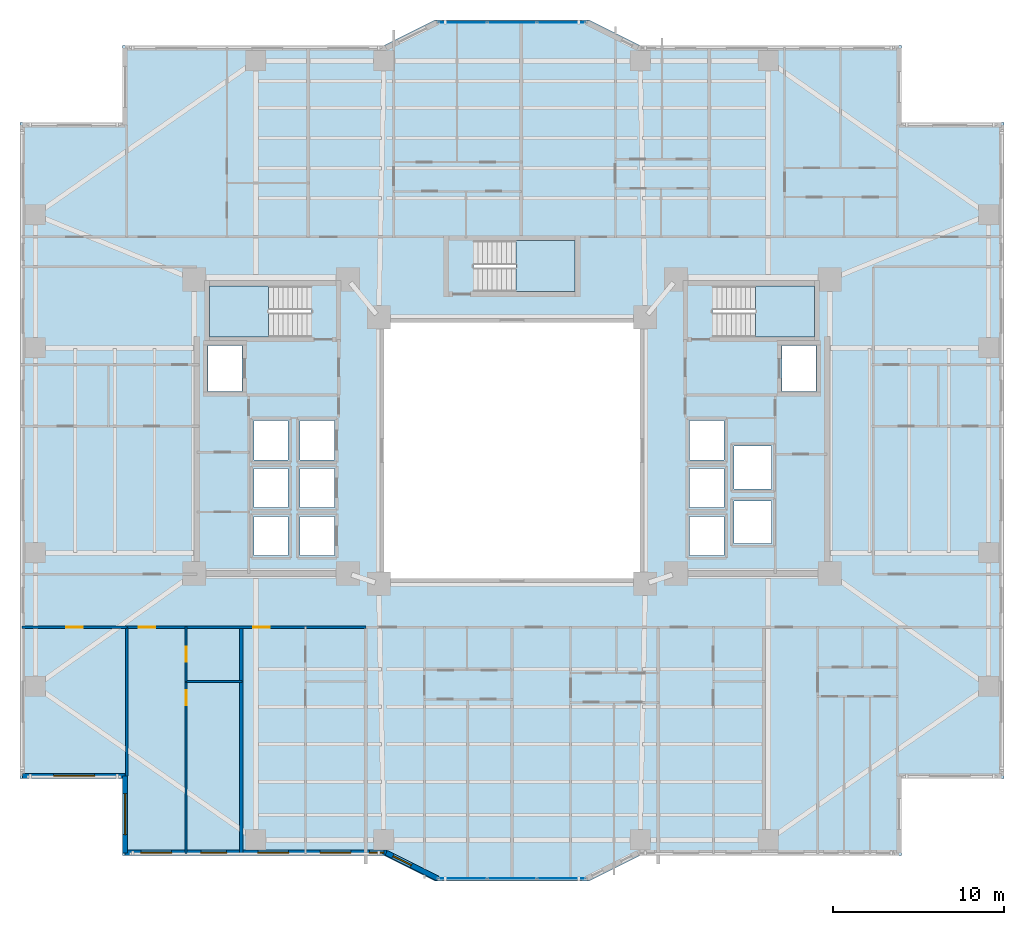
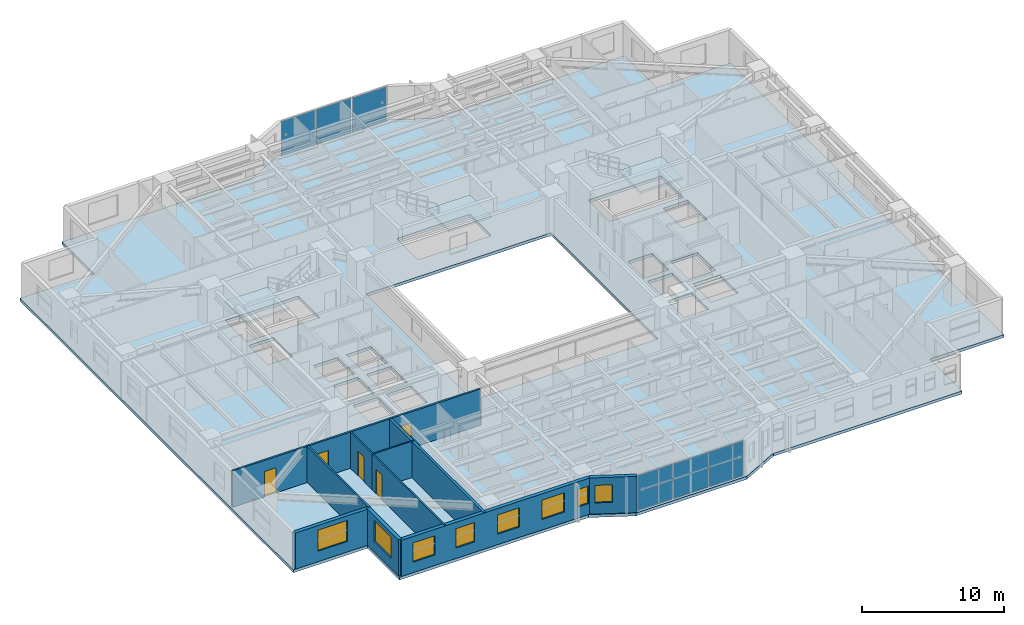
# One storey, part 9 of 22: 11 walls, 8 windows, 6 plates, 5 doors, 4 slabs, 13 openings, 5 elements without a shape of their own.
"""IFC4 building model written with IfcOpenShell, lengths in metres."""

from ifc_helpers import new_model, si_unit, direction, frame, frame_2d, origin, origin_2d, place, context, subcontext, project, spatial, polyline, rectangle, outline, extrude, material, layer, layer_set, type_object, element, fill, aggregate, save


model = new_model("IFC4")

# Units and contexts
model_context = context("Model", 3, precision=1e-05, world=origin(), true_north=direction((0.0, 1.0)))
body_context = subcontext(model_context, "Body", "Model", "MODEL_VIEW")
ifc_project = project(units=[si_unit("LENGTHUNIT", "METRE"), si_unit("AREAUNIT", "SQUARE_METRE"), si_unit("VOLUMEUNIT", "CUBIC_METRE"), si_unit("PLANEANGLEUNIT", "RADIAN"), si_unit("MASSUNIT", "GRAM", prefix="KILO")], contexts=[model_context])

# Site, building, storey
site_placement = place(None, origin())
site = spatial("IfcSite", under=ifc_project, at=site_placement, CompositionType="ELEMENT")
building_placement = place(site_placement, origin())
building = spatial("IfcBuilding", under=site, at=building_placement, Name="Tarnavaz Court Tower", CompositionType="ELEMENT")
storey_placement = place(building_placement, frame((0.0, 0.0, 27.35009765625)))
storey = spatial("IfcBuildingStorey", under=building, at=storey_placement, Name="L06", CompositionType="ELEMENT", Elevation=27.35009765625)

# Curtain wall, plates
ifc_material_1 = material(Name="Anodised Aluminium 6063-T6 and Solar Low-E Glazing", Category="aluminium")
ifc_layer_1 = layer(ifc_material_1, 0.179931640625)
ifc_layer_set_1 = layer_set([ifc_layer_1], Name="Anodised Aluminium 6063-T6 and Solar Low-E Glazing")
curtain_wall_type = type_object("IfcCurtainWallType", Name="CW-SYS-02", PredefinedType="NOTDEFINED", material=ifc_layer_set_1)
curtain_wall_1_placement = place(storey_placement, origin())
curtain_wall_1 = element("IfcCurtainWall", 1, at=curtain_wall_1_placement, inside=storey, type_object=curtain_wall_type, Name="L06 Iwan Prow Curtain Wall 7", PredefinedType="NOTDEFINED")
ifc_material_2 = material(Name="Double-Glazed Solar Low-E Glass", Category="glass")
ifc_layer_2 = layer(ifc_material_2, 0.028076171875)
ifc_layer_set_2 = layer_set([ifc_layer_2], Name="Double-Glazed Solar Low-E Glass")
plate_type = type_object("IfcPlateType", Name="CW-PAN-GLZ28", PredefinedType="CURTAIN_PANEL", material=ifc_layer_set_2)
plate_1_placement = place(storey_placement, frame((-2.88134765625, 25.050048828125, 0.06494140625), z_axis=(0.0, 0.0, 1.0), x_axis=(1.0, 0.0, 0.0)))
plate_1 = element("IfcPlate", 2, at=plate_1_placement, type_object=plate_type, Name="CW panel 1.1", PredefinedType="CURTAIN_PANEL", context=body_context, shape_type="SweptSolid", body=[
    extrude(rectangle(XDim=2.78759765625, YDim=0.028076171875, at=origin_2d()), origin(), (0.0, 0.0, 1.0), 2.969970703125),
])
plate_2_placement = place(storey_placement, frame((0.0, 25.050048828125, 0.06494140625), z_axis=(0.0, 0.0, 1.0), x_axis=(1.0, 0.0, 0.0)))
plate_2 = element("IfcPlate", 3, at=plate_2_placement, type_object=plate_type, Name="CW panel 2.1", PredefinedType="CURTAIN_PANEL", context=body_context, shape_type="SweptSolid", body=[
    extrude(rectangle(XDim=2.824951171875, YDim=0.028076171875, at=origin_2d()), origin(), (0.0, 0.0, 1.0), 2.969970703125),
])
plate_3_placement = place(storey_placement, frame((2.88134765625, 25.050048828125, 0.06494140625), z_axis=(0.0, 0.0, 1.0), x_axis=(1.0, 0.0, 0.0)))
plate_3 = element("IfcPlate", 4, at=plate_3_placement, type_object=plate_type, Name="CW panel 3.1", PredefinedType="CURTAIN_PANEL", context=body_context, shape_type="SweptSolid", body=[
    extrude(rectangle(XDim=2.78759765625, YDim=0.028076171875, at=origin_2d()), origin(), (0.0, 0.0, 1.0), 2.969970703125),
])
aggregate(curtain_wall_1, [plate_1, plate_2, plate_3])

curtain_wall_2_placement = place(storey_placement, origin())
curtain_wall_2 = element("IfcCurtainWall", 5, at=curtain_wall_2_placement, inside=storey, type_object=curtain_wall_type, Name="L06 Iwan Prow Curtain Wall 17", PredefinedType="NOTDEFINED")
plate_4_placement = place(storey_placement, frame((2.88134765625, -25.050048828125, 0.06494140625), z_axis=(0.0, 0.0, 1.0), x_axis=(-1.0, 0.0, 0.0)))
plate_4 = element("IfcPlate", 6, at=plate_4_placement, type_object=plate_type, Name="CW panel 1.1", PredefinedType="CURTAIN_PANEL", context=body_context, shape_type="SweptSolid", body=[
    extrude(rectangle(XDim=2.78759765625, YDim=0.028076171875, at=origin_2d()), origin(), (0.0, 0.0, 1.0), 2.969970703125),
])
plate_5_placement = place(storey_placement, frame((0.0, -25.050048828125, 0.06494140625), z_axis=(0.0, 0.0, 1.0), x_axis=(-1.0, 0.0, 0.0)))
plate_5 = element("IfcPlate", 7, at=plate_5_placement, type_object=plate_type, Name="CW panel 2.1", PredefinedType="CURTAIN_PANEL", context=body_context, shape_type="SweptSolid", body=[
    extrude(rectangle(XDim=2.824951171875, YDim=0.028076171875, at=origin_2d()), origin(), (0.0, 0.0, 1.0), 2.969970703125),
])
plate_6_placement = place(storey_placement, frame((-2.88134765625, -25.050048828125, 0.06494140625), z_axis=(0.0, 0.0, 1.0), x_axis=(-1.0, 0.0, 0.0)))
plate_6 = element("IfcPlate", 8, at=plate_6_placement, type_object=plate_type, Name="CW panel 3.1", PredefinedType="CURTAIN_PANEL", context=body_context, shape_type="SweptSolid", body=[
    extrude(rectangle(XDim=2.78759765625, YDim=0.028076171875, at=origin_2d()), origin(), (0.0, 0.0, 1.0), 2.969970703125),
])
aggregate(curtain_wall_2, [plate_4, plate_5, plate_6])

# Stair, slab
ifc_material_3 = material(Name="Concrete C40/50", Category="concrete")
stair_type = type_object("IfcStairType", Name="ST-TWR-20R", PredefinedType="HALF_TURN_STAIR", material=ifc_material_3)
stair_1_placement = place(storey_placement, origin())
stair_1 = element("IfcStair", 9, at=stair_1_placement, inside=storey, type_object=stair_type, Name="L06 West Core Pressurized Exit Stair ST-W1", PredefinedType="HALF_TURN_STAIR")
ifc_layer_3 = layer(ifc_material_3, 0.199951171875)
ifc_layer_set_3 = layer_set([ifc_layer_3], Name="Concrete C40/50")
slab_type_1 = type_object("IfcSlabType", Name="SL-LAND-200", PredefinedType="LANDING", material=ifc_layer_set_3)
slab_1_placement = place(storey_placement, frame((0.0, 0.0, 1.474853515625)))
slab_1 = element("IfcSlab", 10, at=slab_1_placement, type_object=slab_type_1, Name="ST-W1 landing 1", PredefinedType="LANDING", context=body_context, shape_type="SweptSolid", body=[
    extrude(outline(polyline([(-14.239990234375, 9.639892578125), (-17.699951171875, 9.639892578125), (-17.699951171875, 6.64990234375), (-14.239990234375, 6.64990234375), (-14.239990234375, 9.639892578125)])), origin(), (0.0, 0.0, 1.0), 0.199951171875),
])
aggregate(stair_1, [slab_1])

stair_2_placement = place(storey_placement, origin())
stair_2 = element("IfcStair", 11, at=stair_2_placement, inside=storey, type_object=stair_type, Name="L06 East Core Pressurized Exit Stair ST-E1", PredefinedType="HALF_TURN_STAIR")
slab_2_placement = place(storey_placement, frame((0.0, 0.0, 1.474853515625)))
slab_2 = element("IfcSlab", 12, at=slab_2_placement, type_object=slab_type_1, Name="ST-E1 landing 1", PredefinedType="LANDING", context=body_context, shape_type="SweptSolid", body=[
    extrude(outline(polyline([(14.239990234375, 6.64990234375), (17.699951171875, 6.64990234375), (17.699951171875, 9.639892578125), (14.239990234375, 9.639892578125), (14.239990234375, 6.64990234375)])), origin(), (0.0, 0.0, 1.0), 0.199951171875),
])
aggregate(stair_2, [slab_2])

stair_3_placement = place(storey_placement, origin())
stair_3 = element("IfcStair", 13, at=stair_3_placement, inside=storey, type_object=stair_type, Name="L06 North Ring Pressurized Exit Stair ST-N1", PredefinedType="HALF_TURN_STAIR")
slab_3_placement = place(storey_placement, frame((0.0, 0.0, 1.474853515625)))
slab_3 = element("IfcSlab", 14, at=slab_3_placement, type_object=slab_type_1, Name="ST-N1 landing 1", PredefinedType="LANDING", context=body_context, shape_type="SweptSolid", body=[
    extrude(outline(polyline([(0.239990234375, 9.300048828125), (3.699951171875, 9.300048828125), (3.699951171875, 12.2900390625), (0.239990234375, 12.2900390625), (0.239990234375, 9.300048828125)])), origin(), (0.0, 0.0, 1.0), 0.199951171875),
])
aggregate(stair_3, [slab_3])

# Slab
ifc_layer_4 = layer(ifc_material_3, 0.25)
ifc_layer_set_4 = layer_set([ifc_layer_4], Name="Concrete C40/50")
slab_type_2 = type_object("IfcSlabType", Name="SL-RES-250", PredefinedType="FLOOR", material=ifc_layer_set_4)
slab_4_placement = place(storey_placement, frame((0.0, 0.0, -0.25)))
element("IfcSlab", 15, at=slab_4_placement, inside=storey, type_object=slab_type_2, Name="L06 Structural Floor Slab", PredefinedType="FLOOR", context=body_context, shape_type="SweptSolid", body=[
    extrude(outline(polyline([(-22.800048828125, -23.699951171875), (-7.5, -23.699951171875), (-4.5, -25.199951171875), (4.5, -25.199951171875), (7.5, -23.699951171875), (22.800048828125, -23.699951171875), (22.800048828125, -19.199951171875), (28.800048828125, -19.199951171875), (28.800048828125, 19.199951171875), (22.800048828125, 19.199951171875), (22.800048828125, 23.699951171875), (7.5, 23.699951171875), (4.5, 25.199951171875), (-4.5, 25.199951171875), (-7.5, 23.699951171875), (-22.800048828125, 23.699951171875), (-22.800048828125, 19.199951171875), (-28.800048828125, 19.199951171875), (-28.800048828125, -19.199951171875), (-22.800048828125, -19.199951171875), (-22.800048828125, -23.699951171875)]), holes=[polyline([(-7.5, -7.5), (7.5, -7.5), (7.5, 7.5), (-7.5, 7.5), (-7.5, -7.5)]), polyline([(-11.7451171875, 9.639892578125), (-17.699951171875, 9.639892578125), (-17.699951171875, 6.64990234375), (-11.7451171875, 6.64990234375), (-11.7451171875, 9.639892578125)]), polyline([(11.7451171875, 6.64990234375), (17.699951171875, 6.64990234375), (17.699951171875, 9.639892578125), (11.7451171875, 9.639892578125), (11.7451171875, 6.64990234375)]), polyline([(-2.2548828125, 9.300048828125), (3.699951171875, 9.300048828125), (3.699951171875, 12.2900390625), (-2.2548828125, 12.2900390625), (-2.2548828125, 9.300048828125)]), polyline([(-17.800048828125, 3.449951171875), (-15.800048828125, 3.449951171875), (-15.800048828125, 6.14990234375), (-17.800048828125, 6.14990234375), (-17.800048828125, 3.449951171875)]), polyline([(-12.39990234375, -6.14990234375), (-10.39990234375, -6.14990234375), (-10.39990234375, -3.85009765625), (-12.39990234375, -3.85009765625), (-12.39990234375, -6.14990234375)]), polyline([(-12.39990234375, -3.35009765625), (-10.39990234375, -3.35009765625), (-10.39990234375, -1.050048828125), (-12.39990234375, -1.050048828125), (-12.39990234375, -3.35009765625)]), polyline([(-12.39990234375, -0.550048828125), (-10.39990234375, -0.550048828125), (-10.39990234375, 1.75), (-12.39990234375, 1.75), (-12.39990234375, -0.550048828125)]), polyline([(-15.10009765625, -6.14990234375), (-13.10009765625, -6.14990234375), (-13.10009765625, -3.85009765625), (-15.10009765625, -3.85009765625), (-15.10009765625, -6.14990234375)]), polyline([(-15.10009765625, -3.35009765625), (-13.10009765625, -3.35009765625), (-13.10009765625, -1.050048828125), (-15.10009765625, -1.050048828125), (-15.10009765625, -3.35009765625)]), polyline([(-15.10009765625, -0.550048828125), (-13.10009765625, -0.550048828125), (-13.10009765625, 1.75), (-15.10009765625, 1.75), (-15.10009765625, -0.550048828125)]), polyline([(15.800048828125, 3.449951171875), (17.800048828125, 3.449951171875), (17.800048828125, 6.14990234375), (15.800048828125, 6.14990234375), (15.800048828125, 3.449951171875)]), polyline([(10.39990234375, -6.14990234375), (12.39990234375, -6.14990234375), (12.39990234375, -3.85009765625), (10.39990234375, -3.85009765625), (10.39990234375, -6.14990234375)]), polyline([(10.39990234375, -3.35009765625), (12.39990234375, -3.35009765625), (12.39990234375, -1.050048828125), (10.39990234375, -1.050048828125), (10.39990234375, -3.35009765625)]), polyline([(10.39990234375, -0.550048828125), (12.39990234375, -0.550048828125), (12.39990234375, 1.75), (10.39990234375, 1.75), (10.39990234375, -0.550048828125)]), polyline([(13.0, -5.449951171875), (15.199951171875, -5.449951171875), (15.199951171875, -2.949951171875), (13.0, -2.949951171875), (13.0, -5.449951171875)]), polyline([(13.0, -2.25), (15.199951171875, -2.25), (15.199951171875, 0.25), (13.0, 0.25), (13.0, -2.25)])]), origin(), (0.0, 0.0, 1.0), 0.25),
])

# Wall, opening, window
ifc_material_4 = material(Name="Precast Concrete C40/50", Category="concrete")
ifc_layer_5 = layer(ifc_material_4, 0.300048828125)
ifc_layer_set_5 = layer_set([ifc_layer_5], Name="Precast Concrete C40/50")
wall_type_1 = type_object("IfcWallType", Name="WL-EXT-300", PredefinedType="SOLIDWALL", material=ifc_layer_set_5)
wall_1_placement = place(storey_placement, frame((-22.64990234375, -19.050048828125, 0.0), z_axis=(0.0, 0.0, 1.0), x_axis=(-1.0, 0.0, 0.0)))
wall_1 = element("IfcWall", 16, at=wall_1_placement, inside=storey, type_object=wall_type_1, Name="L06 Exterior Terracotta Facade Wall 01", PredefinedType="SOLIDWALL", context=body_context, shape_type="SweptSolid", body=[
    extrude(rectangle(XDim=6.0, YDim=0.300048828125, at=frame_2d((3.0, 0.0))), origin(), (0.0, 0.0, 1.0), 3.099853515625),
])
opening_1_placement = place(wall_1_placement, frame((1.77490234375, 0.0, 0.89990234375)))
opening_1 = element("IfcOpeningElement", 17, at=opening_1_placement, cuts=wall_1, Name="Opening W06", PredefinedType="OPENING", context=body_context, shape_type="SweptSolid", body=[
    extrude(rectangle(XDim=2.39990234375, YDim=1.800048828125, at=frame_2d((1.199951171875, 0.89990234375))), frame((0.0, 0.159912109375, 0.0), z_axis=(0.0, -1.0, 0.0), x_axis=(1.0, 0.0, 0.0)), (0.0, 0.0, 1.0), 0.320068359375),
])
window_type_1 = type_object("IfcWindowType", Name="WN-APT-2400", PartitioningType="TRIPLE_PANEL_VERTICAL", PredefinedType="WINDOW", material=ifc_material_2)
window_1_placement = place(opening_1_placement, origin())
window_1 = element("IfcWindow", 18, at=window_1_placement, inside=storey, type_object=window_type_1, Name="L06 South-West Corner Reading Room Window", OverallHeight=1.800048828125, OverallWidth=2.39990234375, PartitioningType="SINGLE_PANEL", PredefinedType="WINDOW", context=body_context, shape_type="SweptSolid", body=[
    extrude(rectangle(XDim=2.39990234375, YDim=1.800048828125, at=frame_2d((1.199951171875, 0.89990234375))), frame((0.0, 0.030029296875, 0.0), z_axis=(0.0, -1.0, 0.0), x_axis=(1.0, 0.0, 0.0)), (0.0, 0.0, 1.0), 0.06005859375),
])
fill(opening_1, window_1)

wall_2_placement = place(storey_placement, frame((-4.35009765625, -25.050048828125, 0.0), z_axis=(0.0, 0.0, 1.0), x_axis=(-0.894427191, 0.4472135955, 0.0)))
wall_2 = element("IfcWall", 19, at=wall_2_placement, inside=storey, type_object=wall_type_1, Name="L06 Exterior Terracotta Facade Wall 18", PredefinedType="SOLIDWALL", context=body_context, shape_type="SweptSolid", body=[
    extrude(rectangle(XDim=3.35400390625, YDim=0.300048828125, at=frame_2d((1.677001953125, 0.0))), origin(), (0.0, 0.0, 1.0), 3.099853515625),
])
opening_2_placement = place(wall_2_placement, frame((1.72802734375, 0.0, 0.949951171875)))
opening_2 = element("IfcOpeningElement", 20, at=opening_2_placement, cuts=wall_2, Name="Opening W05", PredefinedType="OPENING", context=body_context, shape_type="SweptSolid", body=[
    extrude(rectangle(XDim=1.199951171875, YDim=1.5, at=frame_2d((0.60009765625, 0.75))), frame((0.0, 0.159912109375, 0.0), z_axis=(0.0, -1.0, 0.0), x_axis=(1.0, 0.0, 0.0)), (0.0, 0.0, 1.0), 0.320068359375),
])
window_type_2 = type_object("IfcWindowType", Name="WN-APT-1200", PartitioningType="SINGLE_PANEL", PredefinedType="WINDOW", material=ifc_material_2)
window_2_placement = place(opening_2_placement, origin())
window_2 = element("IfcWindow", 21, at=window_2_placement, inside=storey, type_object=window_type_2, Name="L06 Flat 09 Living and Dining Room Window", OverallHeight=1.5, OverallWidth=1.199951171875, PartitioningType="SINGLE_PANEL", PredefinedType="WINDOW", context=body_context, shape_type="SweptSolid", body=[
    extrude(rectangle(XDim=1.199951171875, YDim=1.5, at=frame_2d((0.60009765625, 0.75))), frame((0.0, 0.030029296875, 0.0), z_axis=(0.0, -1.0, 0.0), x_axis=(1.0, 0.0, 0.0)), (0.0, 0.0, 1.0), 0.06005859375),
])
fill(opening_2, window_2)

# Wall, openings, windows
wall_3_placement = place(storey_placement, frame((-7.35009765625, -23.550048828125, 0.0), z_axis=(0.0, 0.0, 1.0), x_axis=(-1.0, 0.0, 0.0)))
wall_3 = element("IfcWall", 22, at=wall_3_placement, inside=storey, type_object=wall_type_1, Name="L06 Exterior Terracotta Facade Wall 19", PredefinedType="SOLIDWALL", context=body_context, shape_type="SweptSolid", body=[
    extrude(rectangle(XDim=15.2998046875, YDim=0.300048828125, at=frame_2d((7.64990234375, 0.0))), origin(), (0.0, 0.0, 1.0), 3.099853515625),
])
opening_3_placement = place(wall_3_placement, frame((0.146728515625, 0.0, 0.949951171875)))
opening_3 = element("IfcOpeningElement", 23, at=opening_3_placement, cuts=wall_3, Name="Opening W15", PredefinedType="OPENING", context=body_context, shape_type="SweptSolid", body=[
    extrude(rectangle(XDim=0.85009765625, YDim=1.5, at=frame_2d((0.425048828125, 0.75))), frame((0.0, 0.159912109375, 0.0), z_axis=(0.0, -1.0, 0.0), x_axis=(1.0, 0.0, 0.0)), (0.0, 0.0, 1.0), 0.320068359375),
])
opening_4_placement = place(wall_3_placement, frame((2.084716796875, 0.0, 0.89990234375)))
opening_4 = element("IfcOpeningElement", 24, at=opening_4_placement, cuts=wall_3, Name="Opening W01", PredefinedType="OPENING", context=body_context, shape_type="SweptSolid", body=[
    extrude(rectangle(XDim=1.800048828125, YDim=1.64990234375, at=frame_2d((0.89990234375, 0.824951171875))), frame((0.0, 0.159912109375, 0.0), z_axis=(0.0, -1.0, 0.0), x_axis=(1.0, 0.0, 0.0)), (0.0, 0.0, 1.0), 0.320068359375),
])
opening_5_placement = place(wall_3_placement, frame((5.7216796875, 0.0, 0.89990234375)))
opening_5 = element("IfcOpeningElement", 25, at=opening_5_placement, cuts=wall_3, Name="Opening W01", PredefinedType="OPENING", context=body_context, shape_type="SweptSolid", body=[
    extrude(rectangle(XDim=1.800048828125, YDim=1.64990234375, at=frame_2d((0.89990234375, 0.824951171875))), frame((0.0, 0.159912109375, 0.0), z_axis=(0.0, -1.0, 0.0), x_axis=(1.0, 0.0, 0.0)), (0.0, 0.0, 1.0), 0.320068359375),
])
opening_6_placement = place(wall_3_placement, frame((9.35791015625, 0.0, 0.89990234375)))
opening_6 = element("IfcOpeningElement", 26, at=opening_6_placement, cuts=wall_3, Name="Opening W03", PredefinedType="OPENING", context=body_context, shape_type="SweptSolid", body=[
    extrude(rectangle(XDim=1.5, YDim=1.64990234375, at=frame_2d((0.75, 0.824951171875))), frame((0.0, 0.159912109375, 0.0), z_axis=(0.0, -1.0, 0.0), x_axis=(1.0, 0.0, 0.0)), (0.0, 0.0, 1.0), 0.320068359375),
])
opening_7_placement = place(wall_3_placement, frame((12.569091796875, 0.0, 0.89990234375)))
opening_7 = element("IfcOpeningElement", 27, at=opening_7_placement, cuts=wall_3, Name="Opening W01", PredefinedType="OPENING", context=body_context, shape_type="SweptSolid", body=[
    extrude(rectangle(XDim=1.800048828125, YDim=1.64990234375, at=frame_2d((0.89990234375, 0.824951171875))), frame((0.0, 0.159912109375, 0.0), z_axis=(0.0, -1.0, 0.0), x_axis=(1.0, 0.0, 0.0)), (0.0, 0.0, 1.0), 0.320068359375),
])
window_type_3 = type_object("IfcWindowType", Name="WN-APT-1500", PartitioningType="DOUBLE_PANEL_VERTICAL", PredefinedType="WINDOW", material=ifc_material_2)
window_3_placement = place(opening_6_placement, origin())
window_3 = element("IfcWindow", 28, at=window_3_placement, inside=storey, type_object=window_type_3, Name="L06 Flat 05 Kitchen Window", OverallHeight=1.64990234375, OverallWidth=1.5, PartitioningType="SINGLE_PANEL", PredefinedType="WINDOW", context=body_context, shape_type="SweptSolid", body=[
    extrude(rectangle(XDim=1.5, YDim=1.64990234375, at=frame_2d((0.75, 0.824951171875))), frame((0.0, 0.030029296875, 0.0), z_axis=(0.0, -1.0, 0.0), x_axis=(1.0, 0.0, 0.0)), (0.0, 0.0, 1.0), 0.06005859375),
])
fill(opening_6, window_3)
window_type_4 = type_object("IfcWindowType", Name="WN-APT-1800", PartitioningType="DOUBLE_PANEL_VERTICAL", PredefinedType="WINDOW", material=ifc_material_2)
window_4_placement = place(opening_4_placement, origin())
window_4 = element("IfcWindow", 29, at=window_4_placement, inside=storey, type_object=window_type_4, Name="L06 Flat 06 Kitchen Window", OverallHeight=1.64990234375, OverallWidth=1.800048828125, PartitioningType="SINGLE_PANEL", PredefinedType="WINDOW", context=body_context, shape_type="SweptSolid", body=[
    extrude(rectangle(XDim=1.800048828125, YDim=1.64990234375, at=frame_2d((0.89990234375, 0.824951171875))), frame((0.0, 0.030029296875, 0.0), z_axis=(0.0, -1.0, 0.0), x_axis=(1.0, 0.0, 0.0)), (0.0, 0.0, 1.0), 0.06005859375),
])
fill(opening_4, window_4)
window_5_placement = place(opening_5_placement, origin())
window_5 = element("IfcWindow", 30, at=window_5_placement, inside=storey, type_object=window_type_4, Name="L06 Flat 06 Studio Living and Sleeping Room Window", OverallHeight=1.64990234375, OverallWidth=1.800048828125, PartitioningType="SINGLE_PANEL", PredefinedType="WINDOW", context=body_context, shape_type="SweptSolid", body=[
    extrude(rectangle(XDim=1.800048828125, YDim=1.64990234375, at=frame_2d((0.89990234375, 0.824951171875))), frame((0.0, 0.030029296875, 0.0), z_axis=(0.0, -1.0, 0.0), x_axis=(1.0, 0.0, 0.0)), (0.0, 0.0, 1.0), 0.06005859375),
])
fill(opening_5, window_5)
window_6_placement = place(opening_7_placement, origin())
window_6 = element("IfcWindow", 31, at=window_6_placement, inside=storey, type_object=window_type_4, Name="L06 Flat 05 Studio Living and Sleeping Room Window", OverallHeight=1.64990234375, OverallWidth=1.800048828125, PartitioningType="SINGLE_PANEL", PredefinedType="WINDOW", context=body_context, shape_type="SweptSolid", body=[
    extrude(rectangle(XDim=1.800048828125, YDim=1.64990234375, at=frame_2d((0.89990234375, 0.824951171875))), frame((0.0, 0.030029296875, 0.0), z_axis=(0.0, -1.0, 0.0), x_axis=(1.0, 0.0, 0.0)), (0.0, 0.0, 1.0), 0.06005859375),
])
fill(opening_7, window_6)
window_type_5 = type_object("IfcWindowType", Name="WN-APT-850", PartitioningType="SINGLE_PANEL", PredefinedType="WINDOW", material=ifc_material_2)
window_7_placement = place(opening_3_placement, origin())
window_7 = element("IfcWindow", 32, at=window_7_placement, inside=storey, type_object=window_type_5, Name="L06 Flat 09 Living and Dining Room Window", OverallHeight=1.5, OverallWidth=0.85009765625, PartitioningType="SINGLE_PANEL", PredefinedType="WINDOW", context=body_context, shape_type="SweptSolid", body=[
    extrude(rectangle(XDim=0.85009765625, YDim=1.5, at=frame_2d((0.425048828125, 0.75))), frame((0.0, 0.030029296875, 0.0), z_axis=(0.0, -1.0, 0.0), x_axis=(1.0, 0.0, 0.0)), (0.0, 0.0, 1.0), 0.06005859375),
])
fill(opening_3, window_7)

# Wall, opening, window
wall_4_placement = place(storey_placement, frame((-22.64990234375, -23.550048828125, 0.0), z_axis=(0.0, 0.0, 1.0), x_axis=(0.0, 1.0, 0.0)))
wall_4 = element("IfcWall", 33, at=wall_4_placement, inside=storey, type_object=wall_type_1, Name="L06 Exterior Terracotta Facade Wall 20", PredefinedType="SOLIDWALL", context=body_context, shape_type="SweptSolid", body=[
    extrude(rectangle(XDim=4.5, YDim=0.300048828125, at=frame_2d((2.25, 0.0))), origin(), (0.0, 0.0, 1.0), 3.099853515625),
])
opening_8_placement = place(wall_4_placement, frame((1.0673828125, 0.0, 0.89990234375)))
opening_8 = element("IfcOpeningElement", 34, at=opening_8_placement, cuts=wall_4, Name="Opening W06", PredefinedType="OPENING", context=body_context, shape_type="SweptSolid", body=[
    extrude(rectangle(XDim=2.39990234375, YDim=1.800048828125, at=frame_2d((1.199951171875, 0.89990234375))), frame((0.0, 0.159912109375, 0.0), z_axis=(0.0, -1.0, 0.0), x_axis=(1.0, 0.0, 0.0)), (0.0, 0.0, 1.0), 0.320068359375),
])
window_8_placement = place(opening_8_placement, origin())
window_8 = element("IfcWindow", 35, at=window_8_placement, inside=storey, type_object=window_type_1, Name="L06 Flat 05 Studio Living and Sleeping Room Window", OverallHeight=1.800048828125, OverallWidth=2.39990234375, PartitioningType="SINGLE_PANEL", PredefinedType="WINDOW", context=body_context, shape_type="SweptSolid", body=[
    extrude(rectangle(XDim=2.39990234375, YDim=1.800048828125, at=frame_2d((1.199951171875, 0.89990234375))), frame((0.0, 0.030029296875, 0.0), z_axis=(0.0, -1.0, 0.0), x_axis=(1.0, 0.0, 0.0)), (0.0, 0.0, 1.0), 0.06005859375),
])
fill(opening_8, window_8)

# Wall, openings, doors
ifc_material_5 = material(Name="Gypsum Fire-Board on Acoustic Metal Stud", Category="masonry")
ifc_layer_6 = layer(ifc_material_5, 0.14990234375)
ifc_layer_set_6 = layer_set([ifc_layer_6], Name="Gypsum Fire-Board on Acoustic Metal Stud")
wall_type_2 = type_object("IfcWallType", Name="WL-FIRE-150", PredefinedType="PARTITIONING", material=ifc_layer_set_6)
wall_5_placement = place(storey_placement, frame((-22.550048828125, -10.35009765625, 0.0), z_axis=(0.0, 0.0, 1.0), x_axis=(1.0, 0.0, 0.0)))
wall_5 = element("IfcWall", 36, at=wall_5_placement, inside=storey, type_object=wall_type_2, Name="L06 SW Corridor Wall 085", PredefinedType="PARTITIONING", context=body_context, shape_type="SweptSolid", body=[
    extrude(rectangle(XDim=14.0, YDim=0.14990234375, at=frame_2d((7.0, 0.0))), origin(), (0.0, 0.0, 1.0), 3.099853515625),
])
opening_9_placement = place(wall_5_placement, frame((0.699951171875, 0.0, 0.0)))
opening_9 = element("IfcOpeningElement", 37, at=opening_9_placement, cuts=wall_5, Name="Opening D06", PredefinedType="OPENING", context=body_context, shape_type="SweptSolid", body=[
    extrude(rectangle(XDim=0.9599609375, YDim=2.14990234375, at=frame_2d((0.47998046875, 1.074951171875))), frame((0.0, 0.0849609375, 0.0), z_axis=(0.0, -1.0, 0.0), x_axis=(1.0, 0.0, 0.0)), (0.0, 0.0, 1.0), 0.169921875),
])
opening_10_placement = place(wall_5_placement, frame((7.39599609375, 0.0, 0.0)))
opening_10 = element("IfcOpeningElement", 38, at=opening_10_placement, cuts=wall_5, Name="Opening D06", PredefinedType="OPENING", context=body_context, shape_type="SweptSolid", body=[
    extrude(rectangle(XDim=0.9599609375, YDim=2.14990234375, at=frame_2d((0.47998046875, 1.074951171875))), frame((0.0, 0.0849609375, 0.0), z_axis=(0.0, -1.0, 0.0), x_axis=(1.0, 0.0, 0.0)), (0.0, 0.0, 1.0), 0.169921875),
])
ifc_material_6 = material(Name="Fire-Rated Hardwood Timber Core", Category="wood")
door_type_1 = type_object("IfcDoorType", Name="DR-FD60-950", OperationType="NOTDEFINED", PredefinedType="DOOR", material=ifc_material_6)
door_1_placement = place(opening_9_placement, origin())
door_1 = element("IfcDoor", 39, at=door_1_placement, inside=storey, type_object=door_type_1, Name="L06 Flat 05 Entrance Door", OperationType="SINGLE_SWING_LEFT", OverallHeight=2.14990234375, OverallWidth=0.9599609375, PredefinedType="DOOR", context=body_context, shape_type="SweptSolid", body=[
    extrude(rectangle(XDim=0.9599609375, YDim=2.14990234375, at=frame_2d((0.47998046875, 1.074951171875))), frame((0.0, 0.02490234375, 0.0), z_axis=(0.0, -1.0, 0.0), x_axis=(1.0, 0.0, 0.0)), (0.0, 0.0, 1.0), 0.050048828125),
])
fill(opening_9, door_1)
door_2_placement = place(opening_10_placement, origin())
door_2 = element("IfcDoor", 40, at=door_2_placement, inside=storey, type_object=door_type_1, Name="L06 Flat 06 Entrance Door", OperationType="SINGLE_SWING_RIGHT", OverallHeight=2.14990234375, OverallWidth=0.9599609375, PredefinedType="DOOR", context=body_context, shape_type="SweptSolid", body=[
    extrude(rectangle(XDim=0.9599609375, YDim=2.14990234375, at=frame_2d((0.47998046875, 1.074951171875))), frame((0.0, 0.02490234375, 0.0), z_axis=(0.0, -1.0, 0.0), x_axis=(1.0, 0.0, 0.0)), (0.0, 0.0, 1.0), 0.050048828125),
])
fill(opening_10, door_2)

# Wall, opening, door
wall_6_placement = place(storey_placement, frame((-28.679931640625, -10.35009765625, 0.0), z_axis=(0.0, 0.0, 1.0), x_axis=(1.0, 0.0, 0.0)))
wall_6 = element("IfcWall", 41, at=wall_6_placement, inside=storey, type_object=wall_type_2, Name="L06 Interior Partition 155", PredefinedType="PARTITIONING", context=body_context, shape_type="SweptSolid", body=[
    extrude(rectangle(XDim=6.1298828125, YDim=0.14990234375, at=frame_2d((3.06494140625, 0.0))), origin(), (0.0, 0.0, 1.0), 3.099853515625),
])
opening_11_placement = place(wall_6_placement, frame((2.590087890625, 0.0, 0.0)))
opening_11 = element("IfcOpeningElement", 42, at=opening_11_placement, cuts=wall_6, Name="Opening D13", PredefinedType="OPENING", context=body_context, shape_type="SweptSolid", body=[
    extrude(rectangle(XDim=0.949951171875, YDim=2.14990234375, at=frame_2d((0.47509765625, 1.074951171875))), frame((0.0, 0.0849609375, 0.0), z_axis=(0.0, -1.0, 0.0), x_axis=(1.0, 0.0, 0.0)), (0.0, 0.0, 1.0), 0.169921875),
])
ifc_material_7 = material(Name="Engineered Oak Timber", Category="wood")
door_type_2 = type_object("IfcDoorType", Name="DR-INT-950", OperationType="NOTDEFINED", PredefinedType="DOOR", material=ifc_material_7)
door_3_placement = place(opening_11_placement, origin())
door_3 = element("IfcDoor", 43, at=door_3_placement, inside=storey, type_object=door_type_2, Name="L06 SW Reading Room Door", OperationType="SINGLE_SWING_LEFT", OverallHeight=2.14990234375, OverallWidth=0.949951171875, PredefinedType="DOOR", context=body_context, shape_type="SweptSolid", body=[
    extrude(rectangle(XDim=0.949951171875, YDim=2.14990234375, at=frame_2d((0.47509765625, 1.074951171875))), frame((0.0, 0.02490234375, 0.0), z_axis=(0.0, -1.0, 0.0), x_axis=(1.0, 0.0, 0.0)), (0.0, 0.0, 1.0), 0.050048828125),
])
fill(opening_11, door_3)

# Wall
ifc_material_8 = material(Name="Autoclaved Aerated Concrete Blockwork", Category="masonry")
ifc_layer_7 = layer(ifc_material_8, 0.199951171875)
ifc_layer_set_7 = layer_set([ifc_layer_7], Name="Autoclaved Aerated Concrete Blockwork")
wall_type_3 = type_object("IfcWallType", Name="WL-FIRE-200", PredefinedType="SOLIDWALL", material=ifc_layer_set_7)
wall_7_placement = place(storey_placement, frame((-15.85400390625, -23.60009765625, 0.0), z_axis=(0.0, 0.0, 1.0), x_axis=(0.0, 1.0, 0.0)))
element("IfcWall", 44, at=wall_7_placement, inside=storey, type_object=wall_type_3, Name="L06 Party Wall 112", PredefinedType="SOLIDWALL", context=body_context, shape_type="SweptSolid", body=[
    extrude(rectangle(XDim=13.25, YDim=0.199951171875, at=frame_2d((6.625, 0.0))), origin(), (0.0, 0.0, 1.0), 3.099853515625),
])

# Wall, opening, door
ifc_material_9 = material(Name="Moisture-Resistant Gypsum Board Partition", Category="masonry")
ifc_layer_8 = layer(ifc_material_9, 0.1201171875)
ifc_layer_set_8 = layer_set([ifc_layer_8], Name="Moisture-Resistant Gypsum Board Partition")
wall_type_4 = type_object("IfcWallType", Name="WL-PART-120", PredefinedType="PARTITIONING", material=ifc_layer_set_8)
wall_8_placement = place(storey_placement, frame((-19.070068359375, -23.60009765625, 0.0), z_axis=(0.0, 0.0, 1.0), x_axis=(0.0, 1.0, 0.0)))
wall_8 = element("IfcWall", 45, at=wall_8_placement, inside=storey, type_object=wall_type_4, Name="L06 Interior Partition 113", PredefinedType="PARTITIONING", context=body_context, shape_type="SweptSolid", body=[
    extrude(rectangle(XDim=10.090087890625, YDim=0.1201171875, at=frame_2d((5.044921875, 0.0))), origin(), (0.0, 0.0, 1.0), 3.099853515625),
])
opening_12_placement = place(wall_8_placement, frame((8.68994140625, 0.0, 0.0)))
opening_12 = element("IfcOpeningElement", 46, at=opening_12_placement, cuts=wall_8, Name="Opening D14", PredefinedType="OPENING", context=body_context, shape_type="SweptSolid", body=[
    extrude(rectangle(XDim=0.8798828125, YDim=2.10009765625, at=frame_2d((0.43994140625, 1.050048828125))), frame((0.0, 0.070068359375, 0.0), z_axis=(0.0, -1.0, 0.0), x_axis=(1.0, 0.0, 0.0)), (0.0, 0.0, 1.0), 0.14013671875),
])
door_type_3 = type_object("IfcDoorType", Name="DR-INT-900", OperationType="NOTDEFINED", PredefinedType="DOOR", material=ifc_material_7)
door_4_placement = place(opening_12_placement, origin())
door_4 = element("IfcDoor", 47, at=door_4_placement, inside=storey, type_object=door_type_3, Name="L06 Flat 05 Kitchen Door", OperationType="SINGLE_SWING_RIGHT", OverallHeight=2.10009765625, OverallWidth=0.8798828125, PredefinedType="DOOR", context=body_context, shape_type="SweptSolid", body=[
    extrude(rectangle(XDim=0.8798828125, YDim=2.10009765625, at=frame_2d((0.43994140625, 1.050048828125))), frame((0.0, 0.02490234375, 0.0), z_axis=(0.0, -1.0, 0.0), x_axis=(1.0, 0.0, 0.0)), (0.0, 0.0, 1.0), 0.050048828125),
])
fill(opening_12, door_4)

wall_9_placement = place(storey_placement, frame((-19.070068359375, -13.510009765625, 0.0), z_axis=(0.0, 0.0, 1.0), x_axis=(0.0, 1.0, 0.0)))
wall_9 = element("IfcWall", 48, at=wall_9_placement, inside=storey, type_object=wall_type_4, Name="L06 Interior Partition 114", PredefinedType="PARTITIONING", context=body_context, shape_type="SweptSolid", body=[
    extrude(rectangle(XDim=3.219970703125, YDim=0.1201171875, at=frame_2d((1.60986328125, 0.0))), origin(), (0.0, 0.0, 1.0), 3.099853515625),
])
opening_13_placement = place(wall_9_placement, frame((1.139892578125, 0.0, 0.0)))
opening_13 = element("IfcOpeningElement", 49, at=opening_13_placement, cuts=wall_9, Name="Opening D14", PredefinedType="OPENING", context=body_context, shape_type="SweptSolid", body=[
    extrude(rectangle(XDim=0.8798828125, YDim=2.10009765625, at=frame_2d((0.43994140625, 1.050048828125))), frame((0.0, 0.070068359375, 0.0), z_axis=(0.0, -1.0, 0.0), x_axis=(1.0, 0.0, 0.0)), (0.0, 0.0, 1.0), 0.14013671875),
])
door_5_placement = place(opening_13_placement, origin())
door_5 = element("IfcDoor", 50, at=door_5_placement, inside=storey, type_object=door_type_3, Name="L06 Flat 05 Bathroom Door", OperationType="SINGLE_SWING_LEFT", OverallHeight=2.10009765625, OverallWidth=0.8798828125, PredefinedType="DOOR", context=body_context, shape_type="SweptSolid", body=[
    extrude(rectangle(XDim=0.8798828125, YDim=2.10009765625, at=frame_2d((0.43994140625, 1.050048828125))), frame((0.0, 0.02490234375, 0.0), z_axis=(0.0, -1.0, 0.0), x_axis=(1.0, 0.0, 0.0)), (0.0, 0.0, 1.0), 0.050048828125),
])
fill(opening_13, door_5)

# Walls
wall_10_placement = place(storey_placement, frame((-19.1298828125, -13.510009765625, 0.0), z_axis=(0.0, 0.0, 1.0), x_axis=(1.0, 0.0, 0.0)))
element("IfcWall", 51, at=wall_10_placement, inside=storey, type_object=wall_type_4, Name="L06 Interior Partition 115", PredefinedType="PARTITIONING", context=body_context, shape_type="SweptSolid", body=[
    extrude(rectangle(XDim=3.3359375, YDim=0.1201171875, at=frame_2d((1.66796875, 0.0))), origin(), (0.0, 0.0, 1.0), 3.099853515625),
])
ifc_material_10 = material(Name="Gypsum Plasterboard Acoustic Partition", Category="masonry")
ifc_layer_9 = layer(ifc_material_10, 0.139892578125)
ifc_layer_set_9 = layer_set([ifc_layer_9], Name="Gypsum Plasterboard Acoustic Partition")
wall_type_5 = type_object("IfcWallType", Name="WL-PART-150", PredefinedType="PARTITIONING", material=ifc_layer_set_9)
wall_11_placement = place(storey_placement, frame((-22.550048828125, -19.050048828125, 0.0), z_axis=(0.0, 0.0, 1.0), x_axis=(0.0, 1.0, 0.0)))
element("IfcWall", 52, at=wall_11_placement, inside=storey, type_object=wall_type_5, Name="L06 Interior Partition 149", PredefinedType="PARTITIONING", context=body_context, shape_type="SweptSolid", body=[
    extrude(rectangle(XDim=8.699951171875, YDim=0.139892578125, at=frame_2d((4.35009765625, 0.0))), origin(), (0.0, 0.0, 1.0), 3.099853515625),
])

save(model, "model.ifc")
